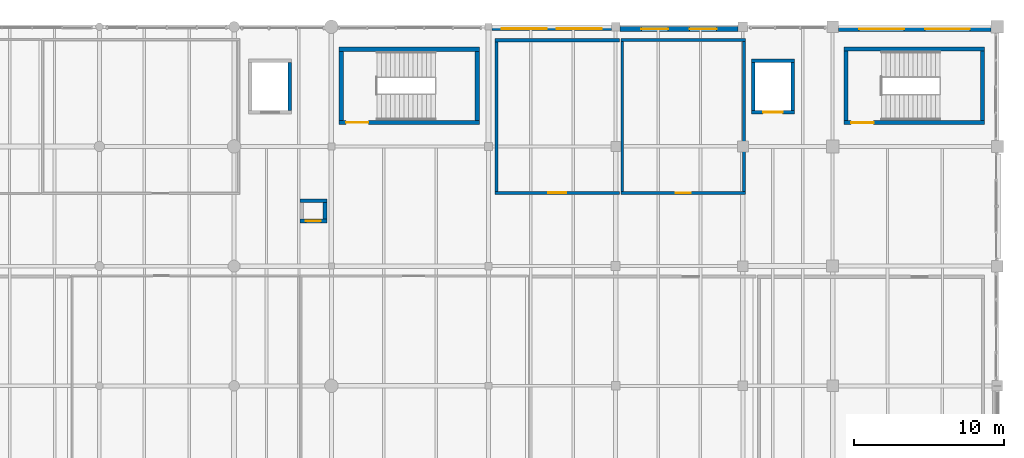
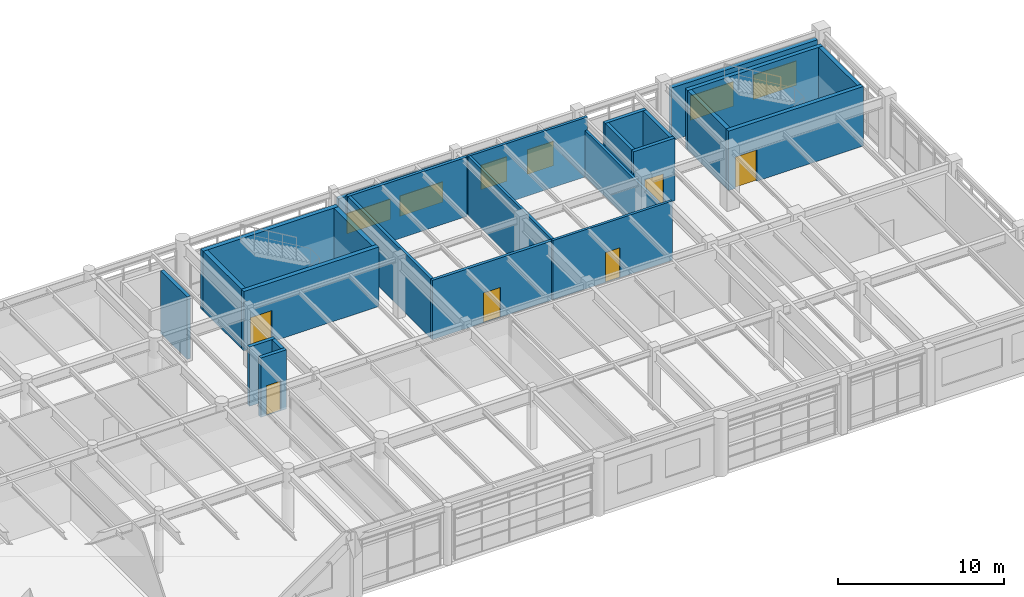
# One storey, part 157 of 168: 26 walls, 6 doors, 6 windows, 12 openings.
"""IFC4 building model written with IfcOpenShell, lengths in metres."""

from ifc_helpers import new_model, si_unit, direction, frame, frame_2d, origin, place, context, subcontext, project, spatial, rectangle, extrude, material, layer, layer_set, type_object, element, fill, save


model = new_model("IFC4")

# Units and contexts
model_context = context("Model", 3, precision=1e-05, world=origin(), true_north=direction((0.0, 1.0)))
body_context = subcontext(model_context, "Body", "Model", "MODEL_VIEW")
ifc_project = project(units=[si_unit("LENGTHUNIT", "METRE"), si_unit("AREAUNIT", "SQUARE_METRE"), si_unit("VOLUMEUNIT", "CUBIC_METRE"), si_unit("PLANEANGLEUNIT", "RADIAN"), si_unit("MASSUNIT", "GRAM", prefix="KILO"), si_unit("THERMODYNAMICTEMPERATUREUNIT", "KELVIN"), si_unit("POWERUNIT", "WATT")], contexts=[model_context])

# Site, building, storey
site_placement = place(None, origin())
site = spatial("IfcSite", under=ifc_project, at=site_placement, CompositionType="ELEMENT")
building_placement = place(site_placement, origin())
building = spatial("IfcBuilding", under=site, at=building_placement, Name="Tepalcoro Natatorium and Aquatics Centre", CompositionType="ELEMENT")
storey_placement = place(building_placement, frame((0.0, 0.0, 10.199951171875)))
storey = spatial("IfcBuildingStorey", under=building, at=storey_placement, Name="L02", CompositionType="ELEMENT", Elevation=10.199951171875)

# Wall, openings, windows
ifc_material_1 = material(Name="Precast Concrete C45/55 (fc 45 MPa)", Category="concrete")
ifc_layer_1 = layer(ifc_material_1, 0.260009765625)
ifc_layer_set_1 = layer_set([ifc_layer_1], Name="Precast Concrete C45/55 (fc 45 MPa)")
wall_type_1 = type_object("IfcWallType", Name="WL_EXT_GABLE_260", PredefinedType="SOLIDWALL", material=ifc_layer_set_1)
wall_1_placement = place(storey_placement, frame((142.22900390625, 117.8701171875, 0.0), z_axis=(0.0, 0.0, 1.0), x_axis=(1.0, 0.0, 0.0)))
wall_1 = element("IfcWall", 1, at=wall_1_placement, inside=storey, type_object=wall_type_1, Name="V5 L02 N Volcanic Basalt Envelope Wall", PredefinedType="SOLIDWALL", context=body_context, shape_type="SweptSolid", body=[
    extrude(rectangle(XDim=7.991943359375, YDim=0.260009765625, at=frame_2d((3.99609375, 0.0))), origin(), (0.0, 0.0, 1.0), 3.81396484375),
])
opening_1_placement = place(wall_1_placement, frame((0.6640625, 0.0, 0.949951171875)))
opening_1 = element("IfcOpeningElement", 2, at=opening_1_placement, cuts=wall_1, Name="Opening W0101A", PredefinedType="OPENING", context=body_context, shape_type="SweptSolid", body=[
    extrude(rectangle(XDim=3.0, YDim=1.5, at=frame_2d((1.5, 0.75))), frame((0.0, 0.14208984375, 0.0), z_axis=(0.0, -1.0, 0.0), x_axis=(1.0, 0.0, 0.0)), (0.0, 0.0, 1.0), 0.283935546875),
])
opening_2_placement = place(wall_1_placement, frame((4.327880859375, 0.0, 0.949951171875)))
opening_2 = element("IfcOpeningElement", 3, at=opening_2_placement, cuts=wall_1, Name="Opening W0101B", PredefinedType="OPENING", context=body_context, shape_type="SweptSolid", body=[
    extrude(rectangle(XDim=3.0, YDim=1.5, at=frame_2d((1.5, 0.75))), frame((0.0, 0.14208984375, 0.0), z_axis=(0.0, -1.0, 0.0), x_axis=(1.0, 0.0, 0.0)), (0.0, 0.0, 1.0), 0.283935546875),
])
ifc_material_2 = material(Name="Solar-Control Bronze Tempered Low-E Double Glazing", Category="glass")
window_type_1 = type_object("IfcWindowType", Name="WN_300x150", PartitioningType="SINGLE_PANEL", PredefinedType="WINDOW", material=ifc_material_2)
window_1_placement = place(opening_1_placement, origin())
window_1 = element("IfcWindow", 4, at=window_1_placement, inside=storey, type_object=window_type_1, Name="Exterior Thermal Window WN_300x150", OverallHeight=1.5, OverallWidth=3.0, PartitioningType="SINGLE_PANEL", PredefinedType="WINDOW", context=body_context, shape_type="SweptSolid", body=[
    extrude(rectangle(XDim=3.0, YDim=1.5, at=frame_2d((1.5, 0.75))), frame((0.0, 0.030029296875, 0.0), z_axis=(0.0, -1.0, 0.0), x_axis=(1.0, 0.0, 0.0)), (0.0, 0.0, 1.0), 0.06005859375),
])
fill(opening_1, window_1)
window_2_placement = place(opening_2_placement, origin())
window_2 = element("IfcWindow", 5, at=window_2_placement, inside=storey, type_object=window_type_1, Name="Exterior Thermal Window WN_300x150", OverallHeight=1.5, OverallWidth=3.0, PartitioningType="SINGLE_PANEL", PredefinedType="WINDOW", context=body_context, shape_type="SweptSolid", body=[
    extrude(rectangle(XDim=3.0, YDim=1.5, at=frame_2d((1.5, 0.75))), frame((0.0, 0.030029296875, 0.0), z_axis=(0.0, -1.0, 0.0), x_axis=(1.0, 0.0, 0.0)), (0.0, 0.0, 1.0), 0.06005859375),
])
fill(opening_2, window_2)

ifc_material_3 = material(Name="Jalisco Cantera Rosa Volcanic Tuff Ashlar Masonry", Category="masonry")
ifc_layer_2 = layer(ifc_material_3, 0.304931640625)
ifc_layer_set_2 = layer_set([ifc_layer_2], Name="Jalisco Cantera Rosa Volcanic Tuff Ashlar Masonry")
wall_type_2 = type_object("IfcWallType", Name="WL_EXT_TERRACOTTA_300", PredefinedType="SOLIDWALL", material=ifc_layer_set_2)
wall_2_placement = place(storey_placement, frame((150.779052734375, 117.847412109375, 0.0), z_axis=(0.0, 0.0, 1.0), x_axis=(1.0, 0.0, 0.0)))
wall_2 = element("IfcWall", 6, at=wall_2_placement, inside=storey, type_object=wall_type_2, Name="V5 L02 N Volcanic Basalt Envelope Wall", PredefinedType="SOLIDWALL", context=body_context, shape_type="SweptSolid", body=[
    extrude(rectangle(XDim=7.891845703125, YDim=0.304931640625, at=frame_2d((3.94580078125, 0.0))), origin(), (0.0, 0.0, 1.0), 3.738037109375),
])
opening_3_placement = place(wall_2_placement, frame((1.4306640625, 0.0, 0.949951171875)))
opening_3 = element("IfcOpeningElement", 7, at=opening_3_placement, cuts=wall_2, Name="Opening W0102A", PredefinedType="OPENING", context=body_context, shape_type="SweptSolid", body=[
    extrude(rectangle(XDim=1.800048828125, YDim=1.800048828125, at=frame_2d((0.89990234375, 0.89990234375))), frame((0.0, 0.16455078125, 0.0), z_axis=(0.0, -1.0, 0.0), x_axis=(1.0, 0.0, 0.0)), (0.0, 0.0, 1.0), 0.328857421875),
])
opening_4_placement = place(wall_2_placement, frame((4.661376953125, 0.0, 0.949951171875)))
opening_4 = element("IfcOpeningElement", 8, at=opening_4_placement, cuts=wall_2, Name="Opening W0102B", PredefinedType="OPENING", context=body_context, shape_type="SweptSolid", body=[
    extrude(rectangle(XDim=1.800048828125, YDim=1.800048828125, at=frame_2d((0.89990234375, 0.89990234375))), frame((0.0, 0.16455078125, 0.0), z_axis=(0.0, -1.0, 0.0), x_axis=(1.0, 0.0, 0.0)), (0.0, 0.0, 1.0), 0.328857421875),
])
window_type_2 = type_object("IfcWindowType", Name="WN_180x180", PartitioningType="SINGLE_PANEL", PredefinedType="WINDOW", material=ifc_material_2)
window_3_placement = place(opening_3_placement, origin())
window_3 = element("IfcWindow", 9, at=window_3_placement, inside=storey, type_object=window_type_2, Name="Exterior Thermal Window WN_180x180", OverallHeight=1.800048828125, OverallWidth=1.800048828125, PartitioningType="SINGLE_PANEL", PredefinedType="WINDOW", context=body_context, shape_type="SweptSolid", body=[
    extrude(rectangle(XDim=1.800048828125, YDim=1.800048828125, at=frame_2d((0.89990234375, 0.89990234375))), frame((0.0, 0.030029296875, 0.0), z_axis=(0.0, -1.0, 0.0), x_axis=(1.0, 0.0, 0.0)), (0.0, 0.0, 1.0), 0.06005859375),
])
fill(opening_3, window_3)
window_4_placement = place(opening_4_placement, origin())
window_4 = element("IfcWindow", 10, at=window_4_placement, inside=storey, type_object=window_type_2, Name="Exterior Thermal Window WN_180x180", OverallHeight=1.800048828125, OverallWidth=1.800048828125, PartitioningType="SINGLE_PANEL", PredefinedType="WINDOW", context=body_context, shape_type="SweptSolid", body=[
    extrude(rectangle(XDim=1.800048828125, YDim=1.800048828125, at=frame_2d((0.89990234375, 0.89990234375))), frame((0.0, 0.030029296875, 0.0), z_axis=(0.0, -1.0, 0.0), x_axis=(1.0, 0.0, 0.0)), (0.0, 0.0, 1.0), 0.06005859375),
])
fill(opening_4, window_4)

wall_3_placement = place(storey_placement, frame((165.37890625, 117.847412109375, 0.0), z_axis=(0.0, 0.0, 1.0), x_axis=(1.0, 0.0, 0.0)))
wall_3 = element("IfcWall", 11, at=wall_3_placement, inside=storey, type_object=wall_type_2, Name="V5 L02 N Volcanic Basalt Envelope Wall", PredefinedType="SOLIDWALL", context=body_context, shape_type="SweptSolid", body=[
    extrude(rectangle(XDim=10.192138671875, YDim=0.304931640625, at=frame_2d((5.09619140625, 0.0))), origin(), (0.0, 0.0, 1.0), 3.89013671875),
])
opening_5_placement = place(wall_3_placement, frame((1.397216796875, 0.0, 0.949951171875)))
opening_5 = element("IfcOpeningElement", 12, at=opening_5_placement, cuts=wall_3, Name="Opening W0103A", PredefinedType="OPENING", context=body_context, shape_type="SweptSolid", body=[
    extrude(rectangle(XDim=3.0, YDim=1.800048828125, at=frame_2d((1.5, 0.89990234375))), frame((0.0, 0.16455078125, 0.0), z_axis=(0.0, -1.0, 0.0), x_axis=(1.0, 0.0, 0.0)), (0.0, 0.0, 1.0), 0.328857421875),
])
opening_6_placement = place(wall_3_placement, frame((5.794677734375, 0.0, 0.949951171875)))
opening_6 = element("IfcOpeningElement", 13, at=opening_6_placement, cuts=wall_3, Name="Opening W0103B", PredefinedType="OPENING", context=body_context, shape_type="SweptSolid", body=[
    extrude(rectangle(XDim=3.0, YDim=1.800048828125, at=frame_2d((1.5, 0.89990234375))), frame((0.0, 0.16455078125, 0.0), z_axis=(0.0, -1.0, 0.0), x_axis=(1.0, 0.0, 0.0)), (0.0, 0.0, 1.0), 0.328857421875),
])
window_type_3 = type_object("IfcWindowType", Name="WN_300x180", PartitioningType="SINGLE_PANEL", PredefinedType="WINDOW", material=ifc_material_2)
window_5_placement = place(opening_5_placement, origin())
window_5 = element("IfcWindow", 14, at=window_5_placement, inside=storey, type_object=window_type_3, Name="Exterior Thermal Window WN_300x180", OverallHeight=1.800048828125, OverallWidth=3.0, PartitioningType="SINGLE_PANEL", PredefinedType="WINDOW", context=body_context, shape_type="SweptSolid", body=[
    extrude(rectangle(XDim=3.0, YDim=1.800048828125, at=frame_2d((1.5, 0.89990234375))), frame((0.0, 0.030029296875, 0.0), z_axis=(0.0, -1.0, 0.0), x_axis=(1.0, 0.0, 0.0)), (0.0, 0.0, 1.0), 0.06005859375),
])
fill(opening_5, window_5)
window_6_placement = place(opening_6_placement, origin())
window_6 = element("IfcWindow", 15, at=window_6_placement, inside=storey, type_object=window_type_3, Name="Exterior Thermal Window WN_300x180", OverallHeight=1.800048828125, OverallWidth=3.0, PartitioningType="SINGLE_PANEL", PredefinedType="WINDOW", context=body_context, shape_type="SweptSolid", body=[
    extrude(rectangle(XDim=3.0, YDim=1.800048828125, at=frame_2d((1.5, 0.89990234375))), frame((0.0, 0.030029296875, 0.0), z_axis=(0.0, -1.0, 0.0), x_axis=(1.0, 0.0, 0.0)), (0.0, 0.0, 1.0), 0.06005859375),
])
fill(opening_6, window_6)

# Wall, opening, door
ifc_material_4 = material(Name="Moisture-Resistant Acoustic Gypsum Drywall on Cold-Formed Metal Studs")
ifc_layer_3 = layer(ifc_material_4, 0.179931640625)
ifc_layer_set_3 = layer_set([ifc_layer_3], Name="Moisture-Resistant Acoustic Gypsum Drywall on Cold-Formed Metal Studs")
wall_type_3 = type_object("IfcWallType", Name="WL_PART_180_AC", PredefinedType="PARTITIONING", material=ifc_layer_set_3)
wall_4_placement = place(storey_placement, frame((150.840087890625, 106.889892578125, 0.0), z_axis=(0.0, 0.0, 1.0), x_axis=(1.0, 0.0, 0.0)))
wall_4 = element("IfcWall", 16, at=wall_4_placement, inside=storey, type_object=wall_type_3, Name="Broadcast Archive & Equipment Store Partition S", PredefinedType="PARTITIONING", context=body_context, shape_type="SweptSolid", body=[
    extrude(rectangle(XDim=8.31982421875, YDim=0.179931640625, at=frame_2d((4.159912109375, 0.0))), origin(), (0.0, 0.0, 1.0), 4.364990234375),
])
opening_7_placement = place(wall_4_placement, frame((3.659912109375, 0.0, 0.0)))
opening_7 = element("IfcOpeningElement", 17, at=opening_7_placement, cuts=wall_4, Name="Opening D0176", PredefinedType="OPENING", context=body_context, shape_type="SweptSolid", body=[
    extrude(rectangle(XDim=1.0, YDim=2.199951171875, at=frame_2d((0.5, 1.10009765625))), frame((0.0, 0.10205078125, 0.0), z_axis=(0.0, -1.0, 0.0), x_axis=(1.0, 0.0, 0.0)), (0.0, 0.0, 1.0), 0.203857421875),
])
ifc_material_5 = material(Name="Galvanised Steel Insulated Acoustic Fire Door Assembly", Category="steel")
door_type_1 = type_object("IfcDoorType", Name="DR_100x220_FD60", OperationType="NOTDEFINED", PredefinedType="DOOR", material=ifc_material_5)
door_1_placement = place(opening_7_placement, origin())
door_1 = element("IfcDoor", 18, at=door_1_placement, inside=storey, type_object=door_type_1, Name="Broadcast Archive & Equipment Store Door", OperationType="SINGLE_SWING_LEFT", OverallHeight=2.199951171875, OverallWidth=1.0, PredefinedType="DOOR", context=body_context, shape_type="SweptSolid", body=[
    extrude(rectangle(XDim=1.0, YDim=2.199951171875, at=frame_2d((0.5, 1.10009765625))), frame((0.0, 0.02490234375, 0.0), z_axis=(0.0, -1.0, 0.0), x_axis=(1.0, 0.0, 0.0)), (0.0, 0.0, 1.0), 0.050048828125),
])
fill(opening_7, door_1)

# Walls
wall_5_placement = place(storey_placement, frame((150.840087890625, 117.110107421875, 0.0), z_axis=(0.0, 0.0, 1.0), x_axis=(1.0, 0.0, 0.0)))
element("IfcWall", 19, at=wall_5_placement, inside=storey, type_object=wall_type_3, Name="Broadcast Archive & Equipment Store Partition N", PredefinedType="PARTITIONING", context=body_context, shape_type="SweptSolid", body=[
    extrude(rectangle(XDim=8.31982421875, YDim=0.179931640625, at=frame_2d((4.159912109375, 0.0))), origin(), (0.0, 0.0, 1.0), 4.364990234375),
])
wall_6_placement = place(storey_placement, frame((159.070068359375, 106.97998046875, 0.0), z_axis=(0.0, 0.0, 1.0), x_axis=(0.0, 1.0, 0.0)))
element("IfcWall", 20, at=wall_6_placement, inside=storey, type_object=wall_type_3, Name="Broadcast Archive & Equipment Store Partition E", PredefinedType="PARTITIONING", context=body_context, shape_type="SweptSolid", body=[
    extrude(rectangle(XDim=10.0400390625, YDim=0.179931640625, at=frame_2d((5.02001953125, 0.0))), origin(), (0.0, 0.0, 1.0), 3.41796875),
])
wall_7_placement = place(storey_placement, frame((150.929931640625, 106.97998046875, 0.0), z_axis=(0.0, 0.0, 1.0), x_axis=(0.0, 1.0, 0.0)))
element("IfcWall", 21, at=wall_7_placement, inside=storey, type_object=wall_type_3, Name="Broadcast Archive & Equipment Store Partition W", PredefinedType="PARTITIONING", context=body_context, shape_type="SweptSolid", body=[
    extrude(rectangle(XDim=10.0400390625, YDim=0.179931640625, at=frame_2d((5.02001953125, 0.0))), origin(), (0.0, 0.0, 1.0), 4.364990234375),
])
ifc_material_6 = material(Name="Concrete C40/50 (fc 40 MPa)", Category="concrete")
ifc_layer_4 = layer(ifc_material_6, 0.239990234375)
ifc_layer_set_4 = layer_set([ifc_layer_4], Name="Concrete C40/50 (fc 40 MPa)")
wall_type_4 = type_object("IfcWallType", Name="WL_SHAFT_240", PredefinedType="SOLIDWALL", material=ifc_layer_set_4)
wall_8_placement = place(storey_placement, frame((128.719970703125, 112.39990234375, 0.0), z_axis=(0.0, 0.0, 1.0), x_axis=(0.0, 1.0, 0.0)))
element("IfcWall", 22, at=wall_8_placement, inside=storey, type_object=wall_type_4, Name="LF05 Lift Shaft Wall E L02", PredefinedType="SOLIDWALL", context=body_context, shape_type="SweptSolid", body=[
    extrude(rectangle(XDim=3.2001953125, YDim=0.239990234375, at=frame_2d((1.60009765625, 0.0))), origin(), (0.0, 0.0, 1.0), 4.60009765625),
])

# Wall, opening, door
wall_9_placement = place(storey_placement, frame((159.56005859375, 112.280029296875, 0.0), z_axis=(0.0, 0.0, 1.0), x_axis=(1.0, 0.0, 0.0)))
wall_9 = element("IfcWall", 23, at=wall_9_placement, inside=storey, type_object=wall_type_4, Name="LF06 Lift Shaft Wall S L02", PredefinedType="SOLIDWALL", context=body_context, shape_type="SweptSolid", body=[
    extrude(rectangle(XDim=2.8798828125, YDim=0.239990234375, at=frame_2d((1.43994140625, 0.0))), origin(), (0.0, 0.0, 1.0), 4.60009765625),
])
opening_8_placement = place(wall_9_placement, frame((0.7900390625, 0.0, 0.0)))
opening_8 = element("IfcOpeningElement", 24, at=opening_8_placement, cuts=wall_9, Name="Opening LD-LF06-L02", PredefinedType="OPENING", context=body_context, shape_type="SweptSolid", body=[
    extrude(rectangle(XDim=1.300048828125, YDim=2.25, at=frame_2d((0.64990234375, 1.125))), frame((0.0, 0.1318359375, 0.0), z_axis=(0.0, -1.0, 0.0), x_axis=(1.0, 0.0, 0.0)), (0.0, 0.0, 1.0), 0.263916015625),
])
ifc_material_7 = material(Name="Marine-Grade Brushed Stainless Steel AISI 316L", Category="steel")
door_type_2 = type_object("IfcDoorType", Name="DR_130x225_LIFT", OperationType="NOTDEFINED", PredefinedType="USERDEFINED", material=ifc_material_7)
door_2_placement = place(opening_8_placement, origin())
door_2 = element("IfcDoor", 25, at=door_2_placement, inside=storey, type_object=door_type_2, Name="LF06 Lift Landing Sliding Door (L02)", ObjectType="SLIDING LANDING DOOR", OperationType="SLIDING_TO_LEFT", OverallHeight=2.25, OverallWidth=1.300048828125, PredefinedType="USERDEFINED", context=body_context, shape_type="SweptSolid", body=[
    extrude(rectangle(XDim=1.300048828125, YDim=2.25, at=frame_2d((0.64990234375, 1.125))), frame((0.0, 0.02490234375, 0.0), z_axis=(0.0, -1.0, 0.0), x_axis=(1.0, 0.0, 0.0)), (0.0, 0.0, 1.0), 0.050048828125),
])
fill(opening_8, door_2)

# Walls
wall_10_placement = place(storey_placement, frame((159.56005859375, 115.719970703125, 0.0), z_axis=(0.0, 0.0, 1.0), x_axis=(1.0, 0.0, 0.0)))
element("IfcWall", 26, at=wall_10_placement, inside=storey, type_object=wall_type_4, Name="LF06 Lift Shaft Wall N L02", PredefinedType="SOLIDWALL", context=body_context, shape_type="SweptSolid", body=[
    extrude(rectangle(XDim=2.8798828125, YDim=0.239990234375, at=frame_2d((1.43994140625, 0.0))), origin(), (0.0, 0.0, 1.0), 4.60009765625),
])
for number, where, z_axis, x_axis, name in (
    (27, (159.679931640625, 112.39990234375, 0.0), (0.0, 0.0, 1.0), (0.0, 1.0, 0.0), "LF06 Lift Shaft Wall W L02"),
    (28, (162.320068359375, 112.39990234375, 0.0), (0.0, 0.0, 1.0), (0.0, 1.0, 0.0), "LF06 Lift Shaft Wall E L02"),
):
    element("IfcWall", number, at=place(storey_placement, frame(where, z_axis=z_axis, x_axis=x_axis)), inside=storey, type_object=wall_type_4, Name=name, PredefinedType="SOLIDWALL", context=body_context, shape_type="SweptSolid", body=[
        extrude(rectangle(XDim=3.2001953125, YDim=0.239990234375, at=frame_2d((1.60009765625, 0.0))), origin(), (0.0, 0.0, 1.0), 4.60009765625),
    ])

# Wall, opening, door
ifc_layer_5 = layer(ifc_material_6, 0.280029296875)
ifc_layer_set_5 = layer_set([ifc_layer_5], Name="Concrete C40/50 (fc 40 MPa)")
wall_type_5 = type_object("IfcWallType", Name="WL_SHEAR_280", PredefinedType="SHEAR", material=ifc_layer_set_5)
wall_11_placement = place(storey_placement, frame((165.75, 111.590087890625, 0.0), z_axis=(0.0, 0.0, 1.0), x_axis=(1.0, 0.0, 0.0)))
wall_11 = element("IfcWall", 29, at=wall_11_placement, inside=storey, type_object=wall_type_5, Name="ST10 Core Shear Wall S L02", PredefinedType="SHEAR", context=body_context, shape_type="SweptSolid", body=[
    extrude(rectangle(XDim=9.39990234375, YDim=0.280029296875, at=frame_2d((4.699951171875, 0.0))), origin(), (0.0, 0.0, 1.0), 4.380126953125),
])
opening_9_placement = place(wall_11_placement, frame((0.47998046875, 0.0, 0.0)))
opening_9 = element("IfcOpeningElement", 30, at=opening_9_placement, cuts=wall_11, Name="Opening D0040", PredefinedType="OPENING", context=body_context, shape_type="SweptSolid", body=[
    extrude(rectangle(XDim=1.5, YDim=2.300048828125, at=frame_2d((0.75, 1.14990234375))), frame((0.0, 0.15185546875, 0.0), z_axis=(0.0, -1.0, 0.0), x_axis=(1.0, 0.0, 0.0)), (0.0, 0.0, 1.0), 0.303955078125),
])
door_type_3 = type_object("IfcDoorType", Name="DR_150x230_FD60", OperationType="NOTDEFINED", PredefinedType="DOOR", material=ifc_material_5)
door_3_placement = place(opening_9_placement, origin())
door_3 = element("IfcDoor", 31, at=door_3_placement, inside=storey, type_object=door_type_3, Name="ST10 Fire Stair Door (L02)", OperationType="DOUBLE_DOOR_SINGLE_SWING", OverallHeight=2.300048828125, OverallWidth=1.5, PredefinedType="DOOR", context=body_context, shape_type="SweptSolid", body=[
    extrude(rectangle(XDim=1.5, YDim=2.300048828125, at=frame_2d((0.75, 1.14990234375))), frame((0.0, 0.02490234375, 0.0), z_axis=(0.0, -1.0, 0.0), x_axis=(1.0, 0.0, 0.0)), (0.0, 0.0, 1.0), 0.050048828125),
])
fill(opening_9, door_3)

# Walls
wall_12_placement = place(storey_placement, frame((165.75, 116.510009765625, 0.0), z_axis=(0.0, 0.0, 1.0), x_axis=(1.0, 0.0, 0.0)))
element("IfcWall", 32, at=wall_12_placement, inside=storey, type_object=wall_type_5, Name="ST10 Core Shear Wall N L02", PredefinedType="SHEAR", context=body_context, shape_type="SweptSolid", body=[
    extrude(rectangle(XDim=9.39990234375, YDim=0.280029296875, at=frame_2d((4.699951171875, 0.0))), origin(), (0.0, 0.0, 1.0), 4.380126953125),
])
for number, where, z_axis, x_axis, name in (
    (33, (165.889892578125, 111.72998046875, 0.0), (0.0, 0.0, 1.0), (0.0, 1.0, 0.0), "ST10 Core Shear Wall W L02"),
    (34, (175.010009765625, 111.72998046875, 0.0), (0.0, 0.0, 1.0), (0.0, 1.0, 0.0), "ST10 Core Shear Wall E L02"),
):
    element("IfcWall", number, at=place(storey_placement, frame(where, z_axis=z_axis, x_axis=x_axis)), inside=storey, type_object=wall_type_5, Name=name, PredefinedType="SHEAR", context=body_context, shape_type="SweptSolid", body=[
        extrude(rectangle(XDim=4.64013671875, YDim=0.280029296875, at=frame_2d((2.320068359375, 0.0))), origin(), (0.0, 0.0, 1.0), 4.380126953125),
    ])

# Wall, opening, door
ifc_layer_6 = layer(ifc_material_6, 0.300048828125)
ifc_layer_set_6 = layer_set([ifc_layer_6], Name="Concrete C40/50 (fc 40 MPa)")
wall_type_6 = type_object("IfcWallType", Name="WL_SHEAR_300", PredefinedType="SHEAR", material=ifc_layer_set_6)
wall_13_placement = place(storey_placement, frame((132.0, 111.60009765625, 0.0), z_axis=(0.0, 0.0, 1.0), x_axis=(1.0, 0.0, 0.0)))
wall_13 = element("IfcWall", 35, at=wall_13_placement, inside=storey, type_object=wall_type_6, Name="ST09 Core Shear Wall S L02", PredefinedType="SHEAR", context=body_context, shape_type="SweptSolid", body=[
    extrude(rectangle(XDim=9.39990234375, YDim=0.300048828125, at=frame_2d((4.699951171875, 0.0))), origin(), (0.0, 0.0, 1.0), 4.380126953125),
])
opening_10_placement = place(wall_13_placement, frame((0.47998046875, 0.0, 0.0)))
opening_10 = element("IfcOpeningElement", 36, at=opening_10_placement, cuts=wall_13, Name="Opening D0035", PredefinedType="OPENING", context=body_context, shape_type="SweptSolid", body=[
    extrude(rectangle(XDim=1.5, YDim=2.300048828125, at=frame_2d((0.75, 1.14990234375))), frame((0.0, 0.162109375, 0.0), z_axis=(0.0, -1.0, 0.0), x_axis=(1.0, 0.0, 0.0)), (0.0, 0.0, 1.0), 0.323974609375),
])
door_4_placement = place(opening_10_placement, origin())
door_4 = element("IfcDoor", 37, at=door_4_placement, inside=storey, type_object=door_type_3, Name="ST09 Fire Stair Door (L02)", OperationType="DOUBLE_DOOR_SINGLE_SWING", OverallHeight=2.300048828125, OverallWidth=1.5, PredefinedType="DOOR", context=body_context, shape_type="SweptSolid", body=[
    extrude(rectangle(XDim=1.5, YDim=2.300048828125, at=frame_2d((0.75, 1.14990234375))), frame((0.0, 0.02490234375, 0.0), z_axis=(0.0, -1.0, 0.0), x_axis=(1.0, 0.0, 0.0)), (0.0, 0.0, 1.0), 0.050048828125),
])
fill(opening_10, door_4)

# Walls
wall_14_placement = place(storey_placement, frame((132.0, 116.5, 0.0), z_axis=(0.0, 0.0, 1.0), x_axis=(1.0, 0.0, 0.0)))
element("IfcWall", 38, at=wall_14_placement, inside=storey, type_object=wall_type_6, Name="ST09 Core Shear Wall N L02", PredefinedType="SHEAR", context=body_context, shape_type="SweptSolid", body=[
    extrude(rectangle(XDim=9.39990234375, YDim=0.300048828125, at=frame_2d((4.699951171875, 0.0))), origin(), (0.0, 0.0, 1.0), 4.380126953125),
])
for number, where, z_axis, x_axis, name in (
    (39, (132.14990234375, 111.75, 0.0), (0.0, 0.0, 1.0), (0.0, 1.0, 0.0), "ST09 Core Shear Wall W L02"),
    (40, (141.25, 111.75, 0.0), (0.0, 0.0, 1.0), (0.0, 1.0, 0.0), "ST09 Core Shear Wall E L02"),
):
    element("IfcWall", number, at=place(storey_placement, frame(where, z_axis=z_axis, x_axis=x_axis)), inside=storey, type_object=wall_type_6, Name=name, PredefinedType="SHEAR", context=body_context, shape_type="SweptSolid", body=[
        extrude(rectangle(XDim=4.60009765625, YDim=0.300048828125, at=frame_2d((2.300048828125, 0.0))), origin(), (0.0, 0.0, 1.0), 4.380126953125),
    ])

# Wall, opening, door
ifc_material_8 = material(Name="Concrete C35/45 (fc 35 MPa)", Category="concrete")
ifc_layer_7 = layer(ifc_material_8, 0.205078125)
ifc_layer_set_7 = layer_set([ifc_layer_7], Name="Concrete C35/45 (fc 35 MPa)")
wall_type_7 = type_object("IfcWallType", Name="WL_SOLID_200_FR120", PredefinedType="SOLIDWALL", material=ifc_layer_set_7)
wall_15_placement = place(storey_placement, frame((142.43994140625, 106.902587890625, 0.0), z_axis=(0.0, 0.0, 1.0), x_axis=(1.0, 0.0, 0.0)))
wall_15 = element("IfcWall", 41, at=wall_15_placement, inside=storey, type_object=wall_type_7, Name="Server Room, Timing Redundancy & UPS Suite Partition S", PredefinedType="SOLIDWALL", context=body_context, shape_type="SweptSolid", body=[
    extrude(rectangle(XDim=8.320068359375, YDim=0.205078125, at=frame_2d((4.16015625, 0.0))), origin(), (0.0, 0.0, 1.0), 4.364990234375),
])
opening_11_placement = place(wall_15_placement, frame((3.56005859375, 0.0, 0.0)))
opening_11 = element("IfcOpeningElement", 42, at=opening_11_placement, cuts=wall_15, Name="Opening D0175", PredefinedType="OPENING", context=body_context, shape_type="SweptSolid", body=[
    extrude(rectangle(XDim=1.199951171875, YDim=2.199951171875, at=frame_2d((0.60009765625, 1.10009765625))), frame((0.0, 0.114501953125, 0.0), z_axis=(0.0, -1.0, 0.0), x_axis=(1.0, 0.0, 0.0)), (0.0, 0.0, 1.0), 0.22900390625),
])
door_type_4 = type_object("IfcDoorType", Name="DR_120x220_FD60", OperationType="NOTDEFINED", PredefinedType="DOOR", material=ifc_material_5)
door_5_placement = place(opening_11_placement, origin())
door_5 = element("IfcDoor", 43, at=door_5_placement, inside=storey, type_object=door_type_4, Name="Server Room, Timing Redundancy & UPS Suite Door", OperationType="SINGLE_SWING_RIGHT", OverallHeight=2.199951171875, OverallWidth=1.199951171875, PredefinedType="DOOR", context=body_context, shape_type="SweptSolid", body=[
    extrude(rectangle(XDim=1.199951171875, YDim=2.199951171875, at=frame_2d((0.60009765625, 1.10009765625))), frame((0.0, 0.02490234375, 0.0), z_axis=(0.0, -1.0, 0.0), x_axis=(1.0, 0.0, 0.0)), (0.0, 0.0, 1.0), 0.050048828125),
])
fill(opening_11, door_5)

# Walls
wall_16_placement = place(storey_placement, frame((142.43994140625, 117.097412109375, 0.0), z_axis=(0.0, 0.0, 1.0), x_axis=(1.0, 0.0, 0.0)))
element("IfcWall", 44, at=wall_16_placement, inside=storey, type_object=wall_type_7, Name="Server Room, Timing Redundancy & UPS Suite Partition N", PredefinedType="SOLIDWALL", context=body_context, shape_type="SweptSolid", body=[
    extrude(rectangle(XDim=8.320068359375, YDim=0.205078125, at=frame_2d((4.16015625, 0.0))), origin(), (0.0, 0.0, 1.0), 4.364990234375),
])
wall_17_placement = place(storey_placement, frame((142.54248046875, 107.0048828125, 0.0), z_axis=(0.0, 0.0, 1.0), x_axis=(0.0, 1.0, 0.0)))
element("IfcWall", 45, at=wall_17_placement, inside=storey, type_object=wall_type_7, Name="Server Room, Timing Redundancy & UPS Suite Partition W", PredefinedType="SOLIDWALL", context=body_context, shape_type="SweptSolid", body=[
    extrude(rectangle(XDim=9.990234375, YDim=0.205078125, at=frame_2d((4.9951171875, 0.0))), origin(), (0.0, 0.0, 1.0), 4.364990234375),
])

# Wall, opening, door
ifc_layer_8 = layer(ifc_material_8, 0.2451171875)
ifc_layer_set_8 = layer_set([ifc_layer_8], Name="Concrete C35/45 (fc 35 MPa)")
wall_type_8 = type_object("IfcWallType", Name="WL_SOLID_240_FR120", PredefinedType="SOLIDWALL", material=ifc_layer_set_8)
wall_18_placement = place(storey_placement, frame((129.39990234375, 105.0224609375, 0.0), z_axis=(0.0, 0.0, 1.0), x_axis=(1.0, 0.0, 0.0)))
wall_18 = element("IfcWall", 46, at=wall_18_placement, inside=storey, type_object=wall_type_8, Name="V5 L02 MEP Switchgear & Telecom Closet Partition S", PredefinedType="SOLIDWALL", context=body_context, shape_type="SweptSolid", body=[
    extrude(rectangle(XDim=1.800048828125, YDim=0.2451171875, at=frame_2d((0.89990234375, 0.0))), origin(), (0.0, 0.0, 1.0), 4.364990234375),
])
opening_12_placement = place(wall_18_placement, frame((0.39990234375, 0.0, 0.0)))
opening_12 = element("IfcOpeningElement", 47, at=opening_12_placement, cuts=wall_18, Name="Opening D0049", PredefinedType="OPENING", context=body_context, shape_type="SweptSolid", body=[
    extrude(rectangle(XDim=1.0, YDim=2.199951171875, at=frame_2d((0.5, 1.10009765625))), frame((0.0, 0.134521484375, 0.0), z_axis=(0.0, -1.0, 0.0), x_axis=(1.0, 0.0, 0.0)), (0.0, 0.0, 1.0), 0.26904296875),
])
door_6_placement = place(opening_12_placement, origin())
door_6 = element("IfcDoor", 48, at=door_6_placement, inside=storey, type_object=door_type_1, Name="V5 L02 MEP Switchgear & Telecom Closet Door", OperationType="SINGLE_SWING_LEFT", OverallHeight=2.199951171875, OverallWidth=1.0, PredefinedType="DOOR", context=body_context, shape_type="SweptSolid", body=[
    extrude(rectangle(XDim=1.0, YDim=2.199951171875, at=frame_2d((0.5, 1.10009765625))), frame((0.0, 0.02490234375, 0.0), z_axis=(0.0, -1.0, 0.0), x_axis=(1.0, 0.0, 0.0)), (0.0, 0.0, 1.0), 0.050048828125),
])
fill(opening_12, door_6)

# Walls
wall_19_placement = place(storey_placement, frame((129.39990234375, 106.37744140625, 0.0), z_axis=(0.0, 0.0, 1.0), x_axis=(1.0, 0.0, 0.0)))
element("IfcWall", 49, at=wall_19_placement, inside=storey, type_object=wall_type_8, Name="V5 L02 MEP Switchgear & Telecom Closet Partition N", PredefinedType="SOLIDWALL", context=body_context, shape_type="SweptSolid", body=[
    extrude(rectangle(XDim=1.800048828125, YDim=0.2451171875, at=frame_2d((0.89990234375, 0.0))), origin(), (0.0, 0.0, 1.0), 4.364990234375),
])
wall_20_placement = place(storey_placement, frame((131.077392578125, 105.14501953125, 0.0), z_axis=(0.0, 0.0, 1.0), x_axis=(0.0, 1.0, 0.0)))
element("IfcWall", 50, at=wall_20_placement, inside=storey, type_object=wall_type_8, Name="V5 L02 MEP Switchgear & Telecom Closet Partition E", PredefinedType="SOLIDWALL", context=body_context, shape_type="SweptSolid", body=[
    extrude(rectangle(XDim=1.10986328125, YDim=0.2451171875, at=frame_2d((0.554931640625, 0.0))), origin(), (0.0, 0.0, 1.0), 4.364990234375),
])

save(model, "model.ifc")
